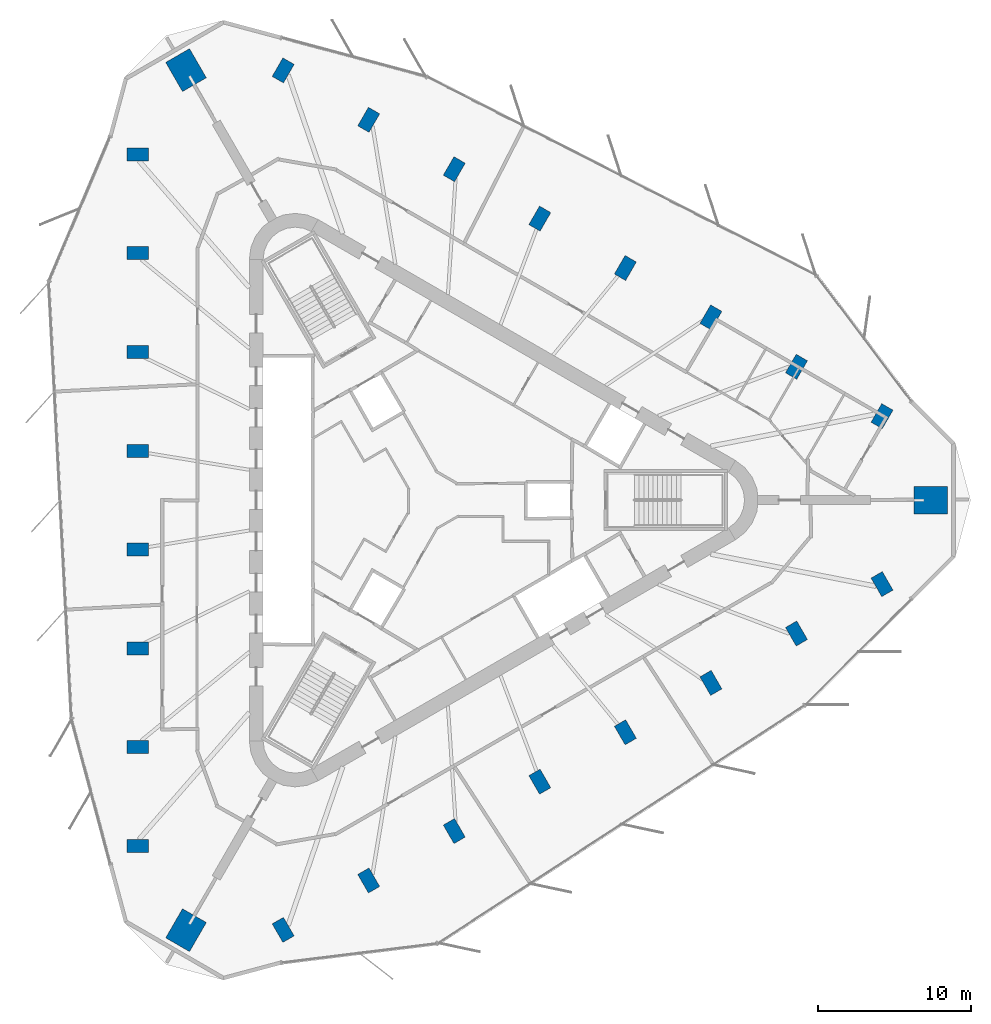
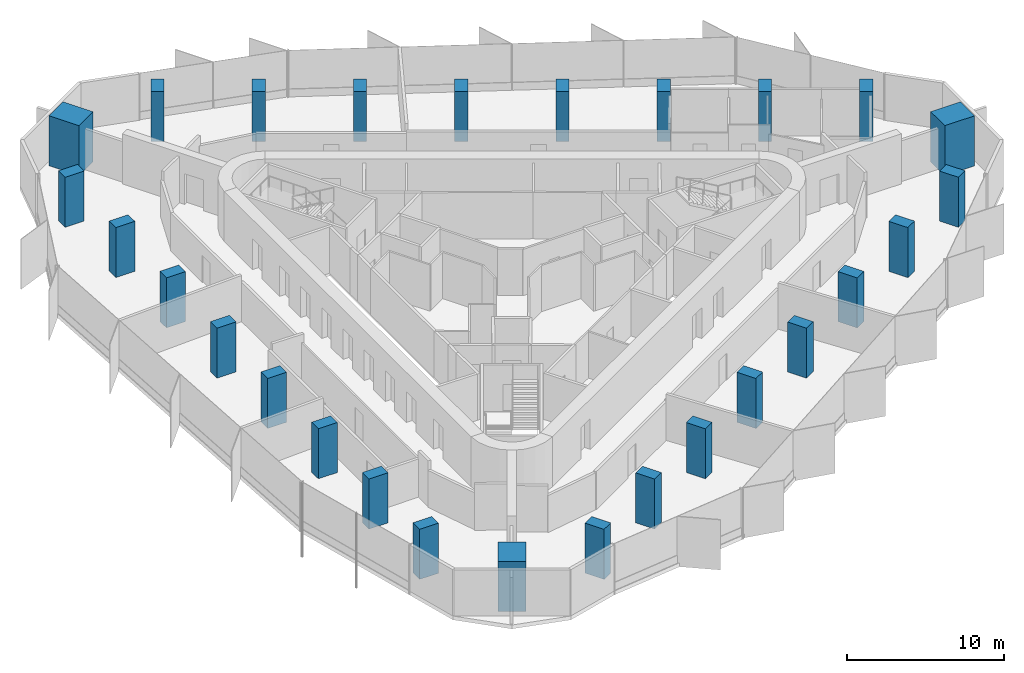
# One storey, part 1 of 12: 27 columns.
"""IFC4 building model written with IfcOpenShell, lengths in metres."""

from ifc_helpers import new_model, si_unit, direction, frame, origin, origin_2d, place, context, subcontext, project, spatial, rectangle, extrude, material, material_profile, profile_set, type_object, element, save


model = new_model("IFC4")

# Units and contexts
model_context = context("Model", 3, precision=1e-05, world=origin(), true_north=direction((0.0, 1.0)))
body_context = subcontext(model_context, "Body", "Model", "MODEL_VIEW")
ifc_project = project(units=[si_unit("LENGTHUNIT", "METRE"), si_unit("AREAUNIT", "SQUARE_METRE"), si_unit("VOLUMEUNIT", "CUBIC_METRE"), si_unit("PLANEANGLEUNIT", "RADIAN"), si_unit("MASSUNIT", "GRAM", prefix="KILO")], contexts=[model_context])

# Site, building, storey
site_placement = place(None, origin())
site = spatial("IfcSite", under=ifc_project, at=site_placement, CompositionType="ELEMENT")
building_placement = place(site_placement, origin())
building = spatial("IfcBuilding", under=site, at=building_placement, Name="Tanit Gate Tower", CompositionType="ELEMENT")
storey_placement = place(building_placement, frame((0.0, 0.0, 357.199951171875)))
storey = spatial("IfcBuildingStorey", under=building, at=storey_placement, Name="L81", CompositionType="ELEMENT", Elevation=357.199951171875)

# Columns
ifc_material_1 = material(Name="Concrete C50/60", Category="concrete")
ifc_material_profile_1 = material_profile(ifc_material_1, rectangle(XDim=2.199951171875, YDim=1.800048828125, at=origin_2d()), Name="RC 2200x1800")
ifc_profile_set_1 = profile_set([ifc_material_profile_1], Name="Concrete C50/60")
column_type_1 = type_object("IfcColumnType", Name="MEGA COLUMN 2200x1800 C50/60", PredefinedType="COLUMN", material=ifc_profile_set_1)
for number, where, z_axis, x_axis, name in (
    (1, (32.491455078125, 0.0, 0.0), (0.0, 0.0, 1.0), (1.0, 0.0, 0.0), "MEGA COLUMN"),
    (2, (-16.24560546875, 28.138427734375, 0.0), (0.0, 0.0, 1.0), (-0.5, 0.866025403784, 0.0), "MEGA COLUMN"),
    (3, (-16.24560546875, -28.138427734375, 0.0), (0.0, 0.0, 1.0), (-0.5, -0.866025403784, 0.0), "MEGA COLUMN"),
):
    element("IfcColumn", number, at=place(storey_placement, frame(where, z_axis=z_axis, x_axis=x_axis)), inside=storey, type_object=column_type_1, Name=name, PredefinedType="COLUMN", context=body_context, shape_type="SweptSolid", body=[
        extrude(rectangle(XDim=2.199951171875, YDim=1.800048828125, at=origin_2d()), origin(), (0.0, 0.0, 1.0), 3.900146484375),
    ])
ifc_material_2 = material(Name="Concrete C40/50", Category="concrete")
ifc_material_profile_2 = material_profile(ifc_material_2, rectangle(XDim=1.39990234375, YDim=0.85009765625, at=origin_2d()), Name="RC 1400x850")
ifc_profile_set_2 = profile_set([ifc_material_profile_2], Name="Concrete C40/50")
column_type_2 = type_object("IfcColumnType", Name="PERIMETER COLUMN 1400x850 C40/50", PredefinedType="COLUMN", material=ifc_profile_set_2)
for number, where, z_axis, x_axis, name in (
    (4, (-19.40576171875, 22.62353515625, 0.0), (0.0, 0.0, 1.0), (-1.0, 0.0, 0.0), "PERIMETER COLUMN"),
    (5, (-19.40576171875, 16.15966796875, 0.0), (0.0, 0.0, 1.0), (-1.0, 0.0, 0.0), "PERIMETER COLUMN"),
    (6, (-19.40576171875, 9.69580078125, 0.0), (0.0, 0.0, 1.0), (-1.0, 0.0, 0.0), "PERIMETER COLUMN"),
    (7, (-19.40576171875, 3.23193359375, 0.0), (0.0, 0.0, 1.0), (-1.0, 0.0, 0.0), "PERIMETER COLUMN"),
    (8, (-19.40576171875, -3.23193359375, 0.0), (0.0, 0.0, 1.0), (-1.0, 0.0, 0.0), "PERIMETER COLUMN"),
    (9, (-19.40576171875, -9.69580078125, 0.0), (0.0, 0.0, 1.0), (-1.0, 0.0, 0.0), "PERIMETER COLUMN"),
    (10, (-19.40576171875, -16.15966796875, 0.0), (0.0, 0.0, 1.0), (-1.0, 0.0, 0.0), "PERIMETER COLUMN"),
    (11, (-19.40576171875, -22.62353515625, 0.0), (0.0, 0.0, 1.0), (-1.0, 0.0, 0.0), "PERIMETER COLUMN"),
    (12, (29.295654296875, 5.494140625, 0.0), (0.0, 0.0, 1.0), (0.5, 0.866025403784, 0.0), "PERIMETER COLUMN"),
    (13, (23.69775390625, 8.72607421875, 0.0), (0.0, 0.0, 1.0), (0.5, 0.866025403784, 0.0), "PERIMETER COLUMN"),
    (14, (18.099853515625, 11.9580078125, 0.0), (0.0, 0.0, 1.0), (0.5, 0.866025403784, 0.0), "PERIMETER COLUMN"),
    (15, (12.501953125, 15.18994140625, 0.0), (0.0, 0.0, 1.0), (0.5, 0.866025403784, 0.0), "PERIMETER COLUMN"),
    (16, (6.904052734375, 18.421875, 0.0), (0.0, 0.0, 1.0), (0.5, 0.866025403784, 0.0), "PERIMETER COLUMN"),
    (17, (1.30615234375, 21.65380859375, 0.0), (0.0, 0.0, 1.0), (0.5, 0.866025403784, 0.0), "PERIMETER COLUMN"),
    (18, (-4.291748046875, 24.8857421875, 0.0), (0.0, 0.0, 1.0), (0.5, 0.866025403784, 0.0), "PERIMETER COLUMN"),
    (19, (-9.8896484375, 28.117919921875, 0.0), (0.0, 0.0, 1.0), (0.5, 0.866025403784, 0.0), "PERIMETER COLUMN"),
    (20, (-9.8896484375, -28.117919921875, 0.0), (0.0, 0.0, 1.0), (0.5, -0.866025403784, 0.0), "PERIMETER COLUMN"),
    (21, (-4.291748046875, -24.8857421875, 0.0), (0.0, 0.0, 1.0), (0.5, -0.866025403784, 0.0), "PERIMETER COLUMN"),
    (22, (1.30615234375, -21.65380859375, 0.0), (0.0, 0.0, 1.0), (0.5, -0.866025403784, 0.0), "PERIMETER COLUMN"),
    (23, (6.904052734375, -18.421875, 0.0), (0.0, 0.0, 1.0), (0.5, -0.866025403784, 0.0), "PERIMETER COLUMN"),
    (24, (12.501953125, -15.18994140625, 0.0), (0.0, 0.0, 1.0), (0.5, -0.866025403784, 0.0), "PERIMETER COLUMN"),
    (25, (18.099853515625, -11.9580078125, 0.0), (0.0, 0.0, 1.0), (0.5, -0.866025403784, 0.0), "PERIMETER COLUMN"),
    (26, (23.69775390625, -8.72607421875, 0.0), (0.0, 0.0, 1.0), (0.5, -0.866025403784, 0.0), "PERIMETER COLUMN"),
    (27, (29.295654296875, -5.494140625, 0.0), (0.0, 0.0, 1.0), (0.5, -0.866025403784, 0.0), "PERIMETER COLUMN"),
):
    element("IfcColumn", number, at=place(storey_placement, frame(where, z_axis=z_axis, x_axis=x_axis)), inside=storey, type_object=column_type_2, Name=name, PredefinedType="COLUMN", context=body_context, shape_type="SweptSolid", body=[
        extrude(rectangle(XDim=1.39990234375, YDim=0.85009765625, at=origin_2d()), origin(), (0.0, 0.0, 1.0), 3.900146484375),
    ])

save(model, "model.ifc")
